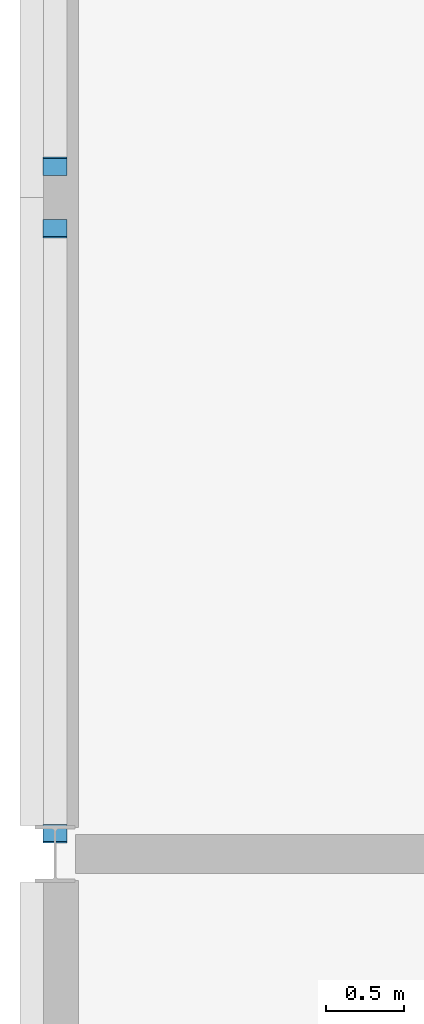
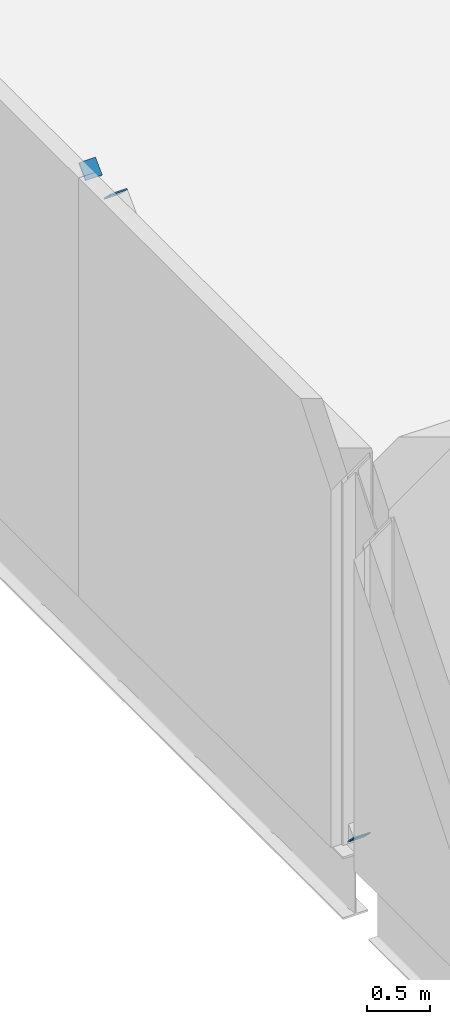
# One storey, part 19 of 26: 3 discrete accessories.
"""IFC4 building model written with IfcOpenShell, lengths in metres."""

import ifcopenshell
import ifcopenshell.guid

model = None  # the IFC model being written
_history = None  # IfcOwnerHistory: only IFC2X3 demands one
_inside = {}  # id of a spatial element -> (the spatial element, [elements in it])
_under = {}  # id of a project, library or spatial element -> (it, [spatial elements below it])
_declared = {}  # id of a project -> (the project, [libraries it declares])
_typed = {}  # id of a type object -> (the type object, [elements of that type])
_made_of = {}  # id of a material, layer set ... -> (it, [elements and type objects made of it])


def new_model(schema):
    """Start an empty IFC model of exactly this schema.

    Asked for "IFC4X3", IfcOpenShell would pick the latest addendum, in which some entities
    have other attributes; the version numbers below select the first issue.
    IFC2X3 requires an IfcOwnerHistory on every rooted entity: one is made here for all.
    """
    global model, _history
    if schema == "IFC4X3":
        model = ifcopenshell.file(schema_version=(4, 3, 0, 0))
    else:
        model = ifcopenshell.file(schema=schema)
    _inside.clear()
    _under.clear()
    _declared.clear()
    _typed.clear()
    _made_of.clear()
    _history = None
    if model.schema == "IFC2X3":
        org = make("IfcOrganization", Name="unknown")
        user = make(
            "IfcPersonAndOrganization",
            ThePerson=make("IfcPerson", FamilyName="unknown"),
            TheOrganization=org,
        )
        app = make(
            "IfcApplication",
            ApplicationDeveloper=org,
            Version="unknown",
            ApplicationFullName="unknown",
            ApplicationIdentifier="unknown",
        )
        _history = make(
            "IfcOwnerHistory",
            OwningUser=user,
            OwningApplication=app,
            ChangeAction="ADDED",
            CreationDate=0,
        )
    return model


def make(cls, **values):
    """One entity of the class cls with the attributes given. An attribute that is None is left unset."""
    return model.create_entity(
        cls, **{name: value for name, value in values.items() if value is not None}
    )


def rooted(cls, **values):
    """An entity with a GlobalId (a new one), such as an element, a storey or a relation."""
    return make(cls, GlobalId=ifcopenshell.guid.new(), OwnerHistory=_history, **values)


def si_unit(unit_type, name, prefix=None):
    """IfcSIUnit, for example si_unit("LENGTHUNIT", "METRE", prefix="MILLI")."""
    return make("IfcSIUnit", UnitType=unit_type, Prefix=prefix, Name=name)


def assignment(units):
    """IfcUnitAssignment: the units of a project."""
    return None if units is None else make("IfcUnitAssignment", Units=units)


def point(xyz):
    """IfcCartesianPoint."""
    return None if xyz is None else make("IfcCartesianPoint", Coordinates=xyz)


def direction(xyz):
    """IfcDirection."""
    return None if xyz is None else make("IfcDirection", DirectionRatios=xyz)


def frame(location, z_axis=None, x_axis=None):
    """IfcAxis2Placement3D, a coordinate frame: its origin and axes. An axis left out is left unset."""
    return make(
        "IfcAxis2Placement3D",
        Location=point(location),
        Axis=direction(z_axis),
        RefDirection=direction(x_axis),
    )


def frame_2d(location, x_axis=None):
    """IfcAxis2Placement2D, a coordinate frame in the plane: its origin and x axis."""
    return make(
        "IfcAxis2Placement2D", Location=point(location), RefDirection=direction(x_axis)
    )


def origin():
    """The frame at (0, 0, 0) with its axes left unset."""
    return frame((0.0, 0.0, 0.0))


def origin_2d():
    """The frame at (0, 0) in the plane with its x axis left unset."""
    return frame_2d((0.0, 0.0))


def place(relative_to, where):
    """IfcLocalPlacement: puts the frame where relative to a parent placement (None: the world)."""
    return make(
        "IfcLocalPlacement", PlacementRelTo=relative_to, RelativePlacement=where
    )


def context(
    kind, dimensions, precision=None, world=None, true_north=None, identifier=None
):
    """IfcGeometricRepresentationContext, for example the 3D "Model" context."""
    return make(
        "IfcGeometricRepresentationContext",
        ContextIdentifier=identifier,
        ContextType=kind,
        CoordinateSpaceDimension=dimensions,
        Precision=precision,
        WorldCoordinateSystem=world,
        TrueNorth=true_north,
    )


def subcontext(parent, identifier, kind, view, scale=None):
    """IfcGeometricRepresentationSubContext, for example "Body" below "Model"."""
    return make(
        "IfcGeometricRepresentationSubContext",
        ContextIdentifier=identifier,
        ContextType=kind,
        ParentContext=parent,
        TargetScale=scale,
        TargetView=view,
    )


def project(units=None, contexts=None):
    """IfcProject with its units and contexts."""
    return rooted(
        "IfcProject",
        Name="project",
        RepresentationContexts=contexts,
        UnitsInContext=assignment(units),
    )


def spatial(cls, under=None, at=None, **own):
    """A site, building, storey or space (cls), placed at a placement, below another one or the project."""
    s = rooted(cls, ObjectPlacement=at, **own)
    if under is not None:
        _under.setdefault(under.id(), (under, []))[1].append(s)
    return s


def profile(cls, at=None, kind="AREA", **sizes):
    """A parametric profile (cls). Its sizes go by their IFC names, for example OverallWidth=200.0."""
    return make(cls, ProfileType=kind, Position=at, **sizes)


def rectangle(**sizes):
    """IfcRectangleProfileDef."""
    return profile("IfcRectangleProfileDef", **sizes)


def extrude(swept, where, along, depth):
    """IfcExtrudedAreaSolid: the profile swept, set in the frame where, extruded along a direction by depth."""
    return make(
        "IfcExtrudedAreaSolid",
        SweptArea=swept,
        Position=where,
        ExtrudedDirection=direction(along),
        Depth=depth,
    )


def shape(context_of_items, identifier, shape_type, items):
    """IfcShapeRepresentation: the items that make up one representation, for example the "Body"."""
    return make(
        "IfcShapeRepresentation",
        ContextOfItems=context_of_items,
        RepresentationIdentifier=identifier,
        RepresentationType=shape_type,
        Items=items,
    )


def material(Name=None, Category=None):
    """IfcMaterial."""
    return make("IfcMaterial", Name=Name, Category=Category)


def made_of(thing, what):
    """Note that an element or type object is made of a material, layer set ...; save() writes the relation."""
    if what is not None:
        _made_of.setdefault(what.id(), (what, []))[1].append(thing)
    return thing


def element(
    cls,
    number,
    at=None,
    inside=None,
    cuts=None,
    type_object=None,
    material=None,
    context=None,
    identifier="Body",
    shape_type=None,
    held_by="IfcProductDefinitionShape",
    body=None,
    shapes=None,
    **own,
):
    """One element of the class cls, such as IfcWall. Its Tag is "e" and its number.

    at: its placement. inside: the storey or other place that contains it. cuts: it is an
    opening in that element (IfcRelVoidsElement). A single representation is given by context,
    identifier, shape_type and body (its items); several are given by shapes. held_by: the class
    of the entity that holds the representations. save() writes the other relations.
    """
    e = rooted(cls, Tag="e%d" % number, ObjectPlacement=at, **own)
    if body is not None:
        shapes = [shape(context, identifier, shape_type, body)]
    if shapes is not None:
        e.Representation = make(held_by, Representations=shapes)
    if inside is not None:
        _inside.setdefault(inside.id(), (inside, []))[1].append(e)
    if cuts is not None:
        rooted(
            "IfcRelVoidsElement", RelatingBuildingElement=cuts, RelatedOpeningElement=e
        )
    if type_object is not None:
        _typed.setdefault(type_object.id(), (type_object, []))[1].append(e)
    return made_of(e, material)


def aggregate(whole, parts):
    """IfcRelAggregates: a whole, such as a stair, and the parts it consists of."""
    return rooted("IfcRelAggregates", RelatingObject=whole, RelatedObjects=parts)


def save(model, path):
    """Write the relations noted so far, then the file.

    IfcRelAggregates (storeys below a building ...), IfcRelContainedInSpatialStructure (elements
    in a storey), IfcRelDefinesByType, IfcRelAssociatesMaterial and IfcRelDeclares: one each for
    every whole, place, type object, material and project.
    """
    for whole, parts in _under.values():
        aggregate(whole, parts)
    for where, things in _inside.values():
        rooted(
            "IfcRelContainedInSpatialStructure",
            RelatedElements=things,
            RelatingStructure=where,
        )
    for kind, things in _typed.values():
        rooted("IfcRelDefinesByType", RelatedObjects=things, RelatingType=kind)
    for what, things in _made_of.values():
        rooted("IfcRelAssociatesMaterial", RelatedObjects=things, RelatingMaterial=what)
    for by, libraries in _declared.values():
        rooted("IfcRelDeclares", RelatingContext=by, RelatedDefinitions=libraries)
    model.write(path)


model = new_model("IFC4")

# Units and contexts
model_context = context("Model", 3, precision=1e-05, world=origin(), true_north=direction((0.0, 1.0)))
body_context = subcontext(model_context, "Body", "Model", "MODEL_VIEW")
ifc_project = project(units=[si_unit("LENGTHUNIT", "METRE"), si_unit("AREAUNIT", "SQUARE_METRE"), si_unit("VOLUMEUNIT", "CUBIC_METRE"), si_unit("PLANEANGLEUNIT", "RADIAN"), si_unit("MASSUNIT", "GRAM", prefix="KILO")], contexts=[model_context])

# Site, building, storey
site_placement = place(None, origin())
site = spatial("IfcSite", under=ifc_project, at=site_placement, CompositionType="ELEMENT")
building_placement = place(site_placement, origin())
building = spatial("IfcBuilding", under=site, at=building_placement, Name="Hlaing Beacon Police Headquarters", CompositionType="ELEMENT")
storey_placement = place(building_placement, frame((0.0, 0.0, 23.39990234375)))
storey = spatial("IfcBuildingStorey", under=building, at=storey_placement, Name="L05", CompositionType="ELEMENT", Elevation=23.39990234375)

# Discrete accessories
ifc_material = material(Name="Steel ASTM A572 Grade 50", Category="steel")
for number, where, z_axis, x_axis, name in (
    (1, (8.39990234375, 42.134033203125, 0.058349609375), (0.0, -0.704124468733, -0.710076568077), (1.0, 0.0, 0.0), "Gusset plate GP-169"),
    (2, (8.39990234375, 45.995849609375, 3.952880859375), (0.0, 0.704124468733, 0.710076568077), (-1.0, 0.0, 0.0), "Gusset plate GP-170"),
    (3, (8.39990234375, 46.404052734375, 3.952880859375), (0.0, -0.704124468733, 0.710076568077), (1.0, 0.0, 0.0), "Gusset plate GP-172"),
):
    element("IfcDiscreteAccessory", number, at=place(storey_placement, frame(where, z_axis=z_axis, x_axis=x_axis)), inside=storey, material=ifc_material, Name=name, PredefinedType="BRACKET", context=body_context, shape_type="SweptSolid", body=[
        extrude(rectangle(XDim=0.15234375, YDim=0.15234375, at=origin_2d()), origin(), (0.0, 0.0, 1.0), 0.011962890625),
    ])

save(model, "model.ifc")
